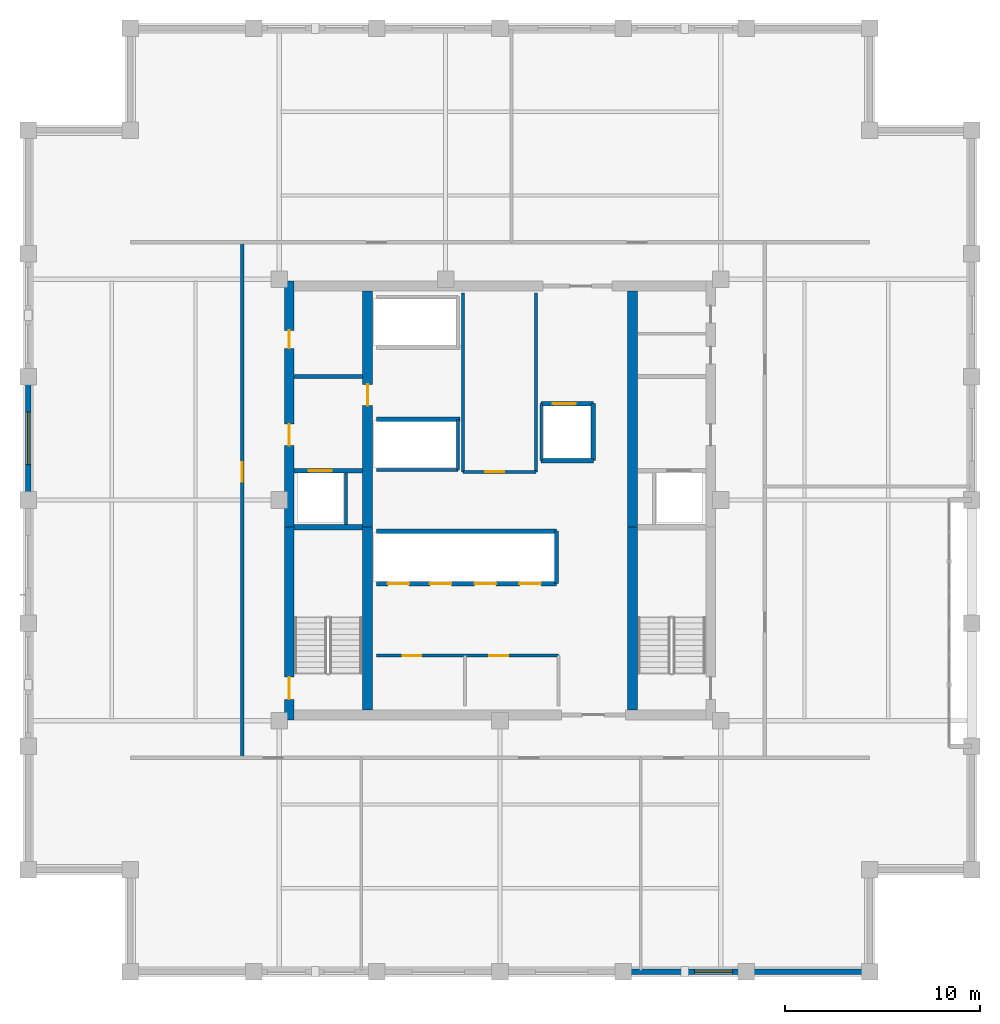
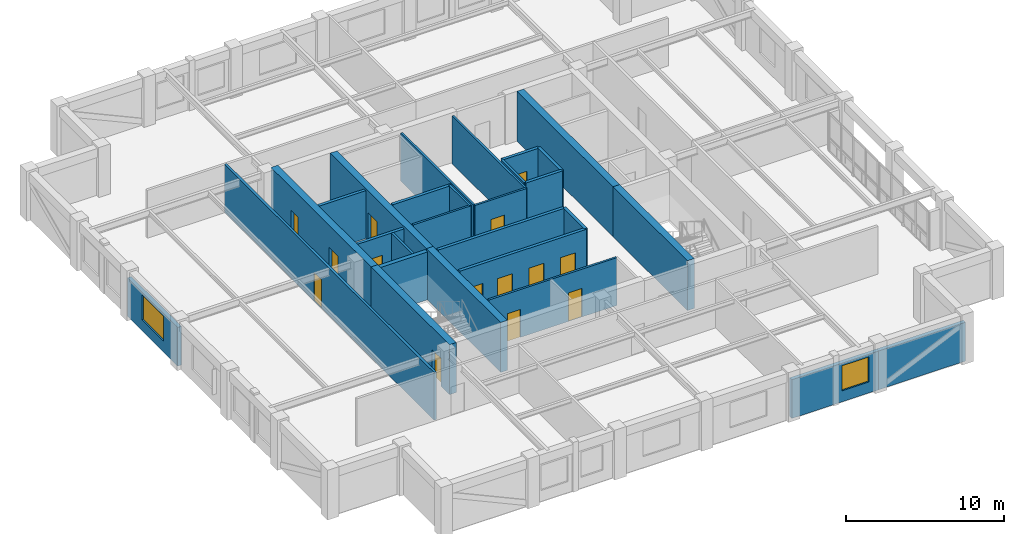
# One storey, part 6 of 10: 28 walls, 14 doors, 2 windows, 16 openings.
"""IFC4 building model written with IfcOpenShell, lengths in metres."""

from ifc_helpers import new_model, si_unit, direction, frame, frame_2d, origin, place, context, subcontext, project, spatial, rectangle, extrude, material, layer, layer_set, type_object, element, fill, save


model = new_model("IFC4")

# Units and contexts
model_context = context("Model", 3, precision=1e-05, world=origin(), true_north=direction((0.0, 1.0)))
body_context = subcontext(model_context, "Body", "Model", "MODEL_VIEW")
ifc_project = project(units=[si_unit("LENGTHUNIT", "METRE"), si_unit("AREAUNIT", "SQUARE_METRE"), si_unit("VOLUMEUNIT", "CUBIC_METRE"), si_unit("PLANEANGLEUNIT", "RADIAN"), si_unit("MASSUNIT", "GRAM", prefix="KILO")], contexts=[model_context])

# Site, building, storey
site_placement = place(None, origin())
site = spatial("IfcSite", under=ifc_project, at=site_placement, CompositionType="ELEMENT")
building_placement = place(site_placement, origin())
building = spatial("IfcBuilding", under=site, at=building_placement, Name="Nhamokura Convention Tower", CompositionType="ELEMENT")
storey_placement = place(building_placement, frame((0.0, 0.0, 236.949951171875)))
storey = spatial("IfcBuildingStorey", under=building, at=storey_placement, Name="L58", CompositionType="ELEMENT", Elevation=236.949951171875)

# Wall, opening, window
ifc_material_1 = material(Name="Bronze-pigmented precast concrete C45/55", Category="concrete")
ifc_layer_1 = layer(ifc_material_1, 0.280029296875)
ifc_layer_set_1 = layer_set([ifc_layer_1], Name="BronzePrecastSpandrel_280")
wall_type_1 = type_object("IfcWallType", Name="BronzePrecastSpandrel_280", PredefinedType="USERDEFINED", material=ifc_layer_set_1)
wall_1_placement = place(storey_placement, frame((44.666748046875, 7.75, 0.0), z_axis=(0.0, 0.0, 1.0), x_axis=(-1.0, 0.0, 0.0)))
wall_1 = element("IfcWall", 1, at=wall_1_placement, inside=storey, type_object=wall_type_1, Name="L58 Masonry-Frame Wall SOUTH 4", ObjectType="SPANDREL_WALL", PredefinedType="USERDEFINED", context=body_context, shape_type="SweptSolid", body=[
    extrude(rectangle(XDim=6.33349609375, YDim=0.280029296875, at=frame_2d((3.166748046875, 0.0))), origin(), (0.0, 0.0, 1.0), 2.985107421875),
])
opening_1_placement = place(wall_1_placement, frame((0.708251953125, 0.0, 0.85009765625)))
opening_1 = element("IfcOpeningElement", 2, at=opening_1_placement, cuts=wall_1, Name="Opening W-08", PredefinedType="OPENING", context=body_context, shape_type="SweptSolid", body=[
    extrude(rectangle(XDim=1.949951171875, YDim=1.93505859375, at=frame_2d((0.97509765625, 0.967529296875))), frame((0.0, 0.14990234375, 0.0), z_axis=(0.0, -1.0, 0.0), x_axis=(1.0, 0.0, 0.0)), (0.0, 0.0, 1.0), 0.300048828125),
])
ifc_material_2 = material(Name="Solar-control bronze low-E double glass", Category="glass")
window_type_1 = type_object("IfcWindowType", Name="OfficeModuleWindow_Z3_1950", PartitioningType="SINGLE_PANEL", PredefinedType="WINDOW", material=ifc_material_2)
window_1_placement = place(opening_1_placement, origin())
window_1 = element("IfcWindow", 3, at=window_1_placement, inside=storey, type_object=window_type_1, Name="L58 Facade Window SOUTH 4-1", OverallHeight=1.93505859375, OverallWidth=1.949951171875, PartitioningType="SINGLE_PANEL", PredefinedType="WINDOW", context=body_context, shape_type="SweptSolid", body=[
    extrude(rectangle(XDim=1.949951171875, YDim=1.93505859375, at=frame_2d((0.97509765625, 0.967529296875))), frame((0.0, 0.030029296875, 0.0), z_axis=(0.0, -1.0, 0.0), x_axis=(1.0, 0.0, 0.0)), (0.0, 0.0, 1.0), 0.06005859375),
])
fill(opening_1, window_1)

# Wall
wall_2_placement = place(storey_placement, frame((51.0, 7.75, 0.0), z_axis=(0.0, 0.0, 1.0), x_axis=(-1.0, 0.0, 0.0)))
element("IfcWall", 4, at=wall_2_placement, inside=storey, type_object=wall_type_1, Name="L58 Braced-Bay Precast Wall SOUTH 5", ObjectType="SPANDREL_WALL", PredefinedType="USERDEFINED", context=body_context, shape_type="SweptSolid", body=[
    extrude(rectangle(XDim=6.333251953125, YDim=0.280029296875, at=frame_2d((3.16650390625, 0.0))), origin(), (0.0, 0.0, 1.0), 2.985107421875),
])

# Wall, opening, window
wall_3_placement = place(storey_placement, frame((7.75, 32.0, 0.0), z_axis=(0.0, 0.0, 1.0), x_axis=(0.0, 1.0, 0.0)))
wall_3 = element("IfcWall", 5, at=wall_3_placement, inside=storey, type_object=wall_type_1, Name="L58 Masonry-Frame Wall WEST 3", ObjectType="SPANDREL_WALL", PredefinedType="USERDEFINED", context=body_context, shape_type="SweptSolid", body=[
    extrude(rectangle(XDim=6.333251953125, YDim=0.280029296875, at=frame_2d((3.16650390625, 0.0))), origin(), (0.0, 0.0, 1.0), 2.985107421875),
])
opening_2_placement = place(wall_3_placement, frame((1.816650390625, 0.0, 0.85009765625)))
opening_2 = element("IfcOpeningElement", 6, at=opening_2_placement, cuts=wall_3, Name="Opening W-07", PredefinedType="OPENING", context=body_context, shape_type="SweptSolid", body=[
    extrude(rectangle(XDim=2.699951171875, YDim=1.93505859375, at=frame_2d((1.35009765625, 0.967529296875))), frame((0.0, 0.14990234375, 0.0), z_axis=(0.0, -1.0, 0.0), x_axis=(1.0, 0.0, 0.0)), (0.0, 0.0, 1.0), 0.300048828125),
])
ifc_material_3 = material(Name="Solar-control bronze low-E double glass", Category="glass")
window_type_2 = type_object("IfcWindowType", Name="OfficeModuleWindow_Z3_2700", PartitioningType="DOUBLE_PANEL_VERTICAL", PredefinedType="WINDOW", material=ifc_material_3)
window_2_placement = place(opening_2_placement, origin())
window_2 = element("IfcWindow", 7, at=window_2_placement, inside=storey, type_object=window_type_2, Name="L58 Facade Window WEST 3", OverallHeight=1.93505859375, OverallWidth=2.699951171875, PartitioningType="SINGLE_PANEL", PredefinedType="WINDOW", context=body_context, shape_type="SweptSolid", body=[
    extrude(rectangle(XDim=2.699951171875, YDim=1.93505859375, at=frame_2d((1.35009765625, 0.967529296875))), frame((0.0, 0.030029296875, 0.0), z_axis=(0.0, -1.0, 0.0), x_axis=(1.0, 0.0, 0.0)), (0.0, 0.0, 1.0), 0.06005859375),
])
fill(opening_2, window_2)

# Wall, opening, door
ifc_material_4 = material(Name="Concrete C60/75", Category="concrete")
ifc_layer_2 = layer(ifc_material_4, 0.5)
ifc_layer_set_2 = layer_set([ifc_layer_2], Name="CoreShearWall_500")
wall_type_2 = type_object("IfcWallType", Name="CoreShearWall_500", PredefinedType="SHEAR", material=ifc_layer_set_2)
wall_4_placement = place(storey_placement, frame((21.159912109375, 20.699951171875, 0.0), z_axis=(0.0, 0.0, 1.0), x_axis=(0.0, 1.0, 0.0)))
wall_4 = element("IfcWall", 8, at=wall_4_placement, inside=storey, type_object=wall_type_2, Name="L58 Core Shear Wall CW-WS", PredefinedType="SHEAR", context=body_context, shape_type="SweptSolid", body=[
    extrude(rectangle(XDim=9.900146484375, YDim=0.5, at=frame_2d((4.9501953125, 0.0))), origin(), (0.0, 0.0, 1.0), 3.85009765625),
])
opening_3_placement = place(wall_4_placement, frame((1.050048828125, 0.0, 0.0)))
opening_3 = element("IfcOpeningElement", 9, at=opening_3_placement, cuts=wall_4, Name="Opening D-04", PredefinedType="OPENING", context=body_context, shape_type="SweptSolid", body=[
    extrude(rectangle(XDim=1.14990234375, YDim=2.14990234375, at=frame_2d((0.574951171875, 1.074951171875))), frame((0.0, 0.260009765625, 0.0), z_axis=(0.0, -1.0, 0.0), x_axis=(1.0, 0.0, 0.0)), (0.0, 0.0, 1.0), 0.52001953125),
])
ifc_material_5 = material(Name="Fire-rated steel door", Category="steel")
door_type_1 = type_object("IfcDoorType", Name="StairSmokeDoor_1150", OperationType="NOTDEFINED", PredefinedType="DOOR", material=ifc_material_5)
door_1_placement = place(opening_3_placement, origin())
door_1 = element("IfcDoor", 10, at=door_1_placement, inside=storey, type_object=door_type_1, Name="L58 Core Door INT-L58-D-ST01", OperationType="SINGLE_SWING_LEFT", OverallHeight=2.14990234375, OverallWidth=1.14990234375, PredefinedType="DOOR", context=body_context, shape_type="SweptSolid", body=[
    extrude(rectangle(XDim=1.14990234375, YDim=2.14990234375, at=frame_2d((0.574951171875, 1.074951171875))), frame((0.0, 0.02490234375, 0.0), z_axis=(0.0, -1.0, 0.0), x_axis=(1.0, 0.0, 0.0)), (0.0, 0.0, 1.0), 0.050048828125),
])
fill(opening_3, door_1)

# Wall, openings, doors
wall_5_placement = place(storey_placement, frame((21.159912109375, 30.60009765625, 0.0), z_axis=(0.0, 0.0, 1.0), x_axis=(0.0, 1.0, 0.0)))
wall_5 = element("IfcWall", 11, at=wall_5_placement, inside=storey, type_object=wall_type_2, Name="L58 Core Shear Wall CW-WN", PredefinedType="SHEAR", context=body_context, shape_type="SweptSolid", body=[
    extrude(rectangle(XDim=12.64990234375, YDim=0.5, at=frame_2d((6.324951171875, 0.0))), origin(), (0.0, 0.0, 1.0), 3.85009765625),
])
opening_4_placement = place(wall_5_placement, frame((4.199951171875, 0.0, 0.0)))
opening_4 = element("IfcOpeningElement", 12, at=opening_4_placement, cuts=wall_5, Name="Opening D-05", PredefinedType="OPENING", context=body_context, shape_type="SweptSolid", body=[
    extrude(rectangle(XDim=1.10009765625, YDim=2.14990234375, at=frame_2d((0.550048828125, 1.074951171875))), frame((0.0, 0.260009765625, 0.0), z_axis=(0.0, -1.0, 0.0), x_axis=(1.0, 0.0, 0.0)), (0.0, 0.0, 1.0), 0.52001953125),
])
opening_5_placement = place(wall_5_placement, frame((9.199951171875, 0.0, 0.0)))
opening_5 = element("IfcOpeningElement", 13, at=opening_5_placement, cuts=wall_5, Name="Opening D-10", PredefinedType="OPENING", context=body_context, shape_type="SweptSolid", body=[
    extrude(rectangle(XDim=0.919921875, YDim=2.10009765625, at=frame_2d((0.4599609375, 1.050048828125))), frame((0.0, 0.260009765625, 0.0), z_axis=(0.0, -1.0, 0.0), x_axis=(1.0, 0.0, 0.0)), (0.0, 0.0, 1.0), 0.52001953125),
])
ifc_material_6 = material(Name="Solid oak hardwood", Category="wood")
door_type_2 = type_object("IfcDoorType", Name="AccessibleWCDoor_920", OperationType="NOTDEFINED", PredefinedType="DOOR", material=ifc_material_6)
door_2_placement = place(opening_5_placement, origin())
door_2 = element("IfcDoor", 14, at=door_2_placement, inside=storey, type_object=door_type_2, Name="L58 Core Door INT-L58-D-AWC", OperationType="SINGLE_SWING_LEFT", OverallHeight=2.10009765625, OverallWidth=0.919921875, PredefinedType="DOOR", context=body_context, shape_type="SweptSolid", body=[
    extrude(rectangle(XDim=0.919921875, YDim=2.10009765625, at=frame_2d((0.4599609375, 1.050048828125))), frame((0.0, 0.02490234375, 0.0), z_axis=(0.0, -1.0, 0.0), x_axis=(1.0, 0.0, 0.0)), (0.0, 0.0, 1.0), 0.050048828125),
])
fill(opening_5, door_2)
ifc_material_7 = material(Name="Fire-rated steel door", Category="steel")
door_type_3 = type_object("IfcDoorType", Name="FireLobbyDoor_1100", OperationType="NOTDEFINED", PredefinedType="DOOR", material=ifc_material_7)
door_3_placement = place(opening_4_placement, origin())
door_3 = element("IfcDoor", 15, at=door_3_placement, inside=storey, type_object=door_type_3, Name="L58 Core Door INT-L58-D-FFLW", OperationType="SINGLE_SWING_RIGHT", OverallHeight=2.14990234375, OverallWidth=1.10009765625, PredefinedType="DOOR", context=body_context, shape_type="SweptSolid", body=[
    extrude(rectangle(XDim=1.10009765625, YDim=2.14990234375, at=frame_2d((0.550048828125, 1.074951171875))), frame((0.0, 0.02490234375, 0.0), z_axis=(0.0, -1.0, 0.0), x_axis=(1.0, 0.0, 0.0)), (0.0, 0.0, 1.0), 0.050048828125),
])
fill(opening_4, door_3)

# Wall
wall_6_placement = place(storey_placement, frame((25.18994140625, 21.199951171875, 0.0), z_axis=(0.0, 0.0, 1.0), x_axis=(0.0, 1.0, 0.0)))
element("IfcWall", 16, at=wall_6_placement, inside=storey, type_object=wall_type_2, Name="L58 Core Shear Wall CW-IWS", PredefinedType="SHEAR", context=body_context, shape_type="SweptSolid", body=[
    extrude(rectangle(XDim=9.400146484375, YDim=0.5, at=frame_2d((4.7001953125, 0.0))), origin(), (0.0, 0.0, 1.0), 3.85009765625),
])

# Wall, opening, door
wall_7_placement = place(storey_placement, frame((25.18994140625, 30.60009765625, 0.0), z_axis=(0.0, 0.0, 1.0), x_axis=(0.0, 1.0, 0.0)))
wall_7 = element("IfcWall", 17, at=wall_7_placement, inside=storey, type_object=wall_type_2, Name="L58 Core Shear Wall CW-IWN", PredefinedType="SHEAR", context=body_context, shape_type="SweptSolid", body=[
    extrude(rectangle(XDim=12.14990234375, YDim=0.5, at=frame_2d((6.074951171875, 0.0))), origin(), (0.0, 0.0, 1.0), 3.85009765625),
])
opening_6_placement = place(wall_7_placement, frame((6.25, 0.0, 0.0)))
opening_6 = element("IfcOpeningElement", 18, at=opening_6_placement, cuts=wall_7, Name="Opening D-05", PredefinedType="OPENING", context=body_context, shape_type="SweptSolid", body=[
    extrude(rectangle(XDim=1.10009765625, YDim=2.14990234375, at=frame_2d((0.550048828125, 1.074951171875))), frame((0.0, 0.260009765625, 0.0), z_axis=(0.0, -1.0, 0.0), x_axis=(1.0, 0.0, 0.0)), (0.0, 0.0, 1.0), 0.52001953125),
])
door_4_placement = place(opening_6_placement, origin())
door_4 = element("IfcDoor", 19, at=door_4_placement, inside=storey, type_object=door_type_3, Name="L58 Core Door INT-L58-D-B3LOB", OperationType="SINGLE_SWING_LEFT", OverallHeight=2.14990234375, OverallWidth=1.10009765625, PredefinedType="DOOR", context=body_context, shape_type="SweptSolid", body=[
    extrude(rectangle(XDim=1.10009765625, YDim=2.14990234375, at=frame_2d((0.550048828125, 1.074951171875))), frame((0.0, 0.02490234375, 0.0), z_axis=(0.0, -1.0, 0.0), x_axis=(1.0, 0.0, 0.0)), (0.0, 0.0, 1.0), 0.050048828125),
])
fill(opening_6, door_4)

# Walls
wall_8_placement = place(storey_placement, frame((38.81005859375, 21.199951171875, 0.0), z_axis=(0.0, 0.0, 1.0), x_axis=(0.0, 1.0, 0.0)))
element("IfcWall", 20, at=wall_8_placement, inside=storey, type_object=wall_type_2, Name="L58 Core Shear Wall CW-IES", PredefinedType="SHEAR", context=body_context, shape_type="SweptSolid", body=[
    extrude(rectangle(XDim=9.400146484375, YDim=0.5, at=frame_2d((4.7001953125, 0.0))), origin(), (0.0, 0.0, 1.0), 3.85009765625),
])
wall_9_placement = place(storey_placement, frame((38.81005859375, 30.60009765625, 0.0), z_axis=(0.0, 0.0, 1.0), x_axis=(0.0, 1.0, 0.0)))
element("IfcWall", 21, at=wall_9_placement, inside=storey, type_object=wall_type_2, Name="L58 Core Shear Wall CW-IEN", PredefinedType="SHEAR", context=body_context, shape_type="SweptSolid", body=[
    extrude(rectangle(XDim=12.14990234375, YDim=0.5, at=frame_2d((6.074951171875, 0.0))), origin(), (0.0, 0.0, 1.0), 3.85009765625),
])

# Wall, opening, door
ifc_material_8 = material(Name="Fire-rated gypsum and masonry partition", Category="masonry")
ifc_layer_3 = layer(ifc_material_8, 0.179931640625)
ifc_layer_set_3 = layer_set([ifc_layer_3], Name="CorridorRatedWall_180")
wall_type_3 = type_object("IfcWallType", Name="CorridorRatedWall_180", PredefinedType="STANDARD", material=ifc_layer_set_3)
wall_10_placement = place(storey_placement, frame((18.75, 18.75, 0.0), z_axis=(0.0, 0.0, 1.0), x_axis=(0.0, 1.0, 0.0)))
wall_10 = element("IfcWall", 22, at=wall_10_placement, inside=storey, type_object=wall_type_3, Name="L58 Wall INT-L58-CW-W00", PredefinedType="STANDARD", context=body_context, shape_type="SweptSolid", body=[
    extrude(rectangle(XDim=26.5, YDim=0.179931640625, at=frame_2d((13.25, 0.0))), origin(), (0.0, 0.0, 1.0), 3.68505859375),
])
opening_7_placement = place(wall_10_placement, frame((14.199951171875, 0.0, 0.0)))
opening_7 = element("IfcOpeningElement", 23, at=opening_7_placement, cuts=wall_10, Name="Opening D-08", PredefinedType="OPENING", context=body_context, shape_type="SweptSolid", body=[
    extrude(rectangle(XDim=0.97998046875, YDim=2.199951171875, at=frame_2d((0.489990234375, 1.10009765625))), frame((0.0, 0.099853515625, 0.0), z_axis=(0.0, -1.0, 0.0), x_axis=(1.0, 0.0, 0.0)), (0.0, 0.0, 1.0), 0.199951171875),
])
ifc_material_9 = material(Name="Solid oak hardwood", Category="wood")
door_type_4 = type_object("IfcDoorType", Name="OfficeEntryDoor_980", OperationType="NOTDEFINED", PredefinedType="DOOR", material=ifc_material_9)
door_5_placement = place(opening_7_placement, origin())
door_5 = element("IfcDoor", 24, at=door_5_placement, inside=storey, type_object=door_type_4, Name="L58 Meeting Room W01 Door", OperationType="SINGLE_SWING_LEFT", OverallHeight=2.199951171875, OverallWidth=0.97998046875, PredefinedType="DOOR", context=body_context, shape_type="SweptSolid", body=[
    extrude(rectangle(XDim=0.97998046875, YDim=2.199951171875, at=frame_2d((0.489990234375, 1.10009765625))), frame((0.0, 0.02490234375, 0.0), z_axis=(0.0, -1.0, 0.0), x_axis=(1.0, 0.0, 0.0)), (0.0, 0.0, 1.0), 0.050048828125),
])
fill(opening_7, door_5)

ifc_material_10 = material(Name="Autoclaved concrete blockwork", Category="masonry")
ifc_layer_4 = layer(ifc_material_10, 0.219970703125)
ifc_layer_set_4 = layer_set([ifc_layer_4], Name="FireLobbyWall_220")
wall_type_4 = type_object("IfcWallType", Name="FireLobbyWall_220", PredefinedType="STANDARD", material=ifc_layer_set_4)
wall_11_placement = place(storey_placement, frame((21.409912109375, 33.5, 0.0), z_axis=(0.0, 0.0, 1.0), x_axis=(1.0, 0.0, 0.0)))
wall_11 = element("IfcWall", 25, at=wall_11_placement, inside=storey, type_object=wall_type_4, Name="L58 Wall INT-L58-FFW-S", PredefinedType="STANDARD", context=body_context, shape_type="SweptSolid", body=[
    extrude(rectangle(XDim=3.530029296875, YDim=0.219970703125, at=frame_2d((1.76513671875, 0.0))), origin(), (0.0, 0.0, 1.0), 3.68505859375),
])
opening_8_placement = place(wall_11_placement, frame((0.75, 0.0, 0.0)))
opening_8 = element("IfcOpeningElement", 26, at=opening_8_placement, cuts=wall_11, Name="Opening LD-02", PredefinedType="OPENING", context=body_context, shape_type="SweptSolid", body=[
    extrude(rectangle(XDim=1.199951171875, YDim=2.199951171875, at=frame_2d((0.60009765625, 1.10009765625))), frame((0.0, 0.119873046875, 0.0), z_axis=(0.0, -1.0, 0.0), x_axis=(1.0, 0.0, 0.0)), (0.0, 0.0, 1.0), 0.239990234375),
])
ifc_material_11 = material(Name="Anodised bronze stainless steel", Category="steel")
door_type_5 = type_object("IfcDoorType", Name="LiftLandingDoor_FireService", OperationType="DOUBLE_DOOR_SLIDING", PredefinedType="DOOR", material=ifc_material_11)
door_6_placement = place(opening_8_placement, origin())
door_6 = element("IfcDoor", 27, at=door_6_placement, inside=storey, type_object=door_type_5, Name="L58 Firefighting Lift LF-01 Door", OperationType="DOUBLE_DOOR_SLIDING", OverallHeight=2.199951171875, OverallWidth=1.199951171875, PredefinedType="DOOR", context=body_context, shape_type="SweptSolid", body=[
    extrude(rectangle(XDim=1.199951171875, YDim=2.199951171875, at=frame_2d((0.60009765625, 1.10009765625))), frame((0.0, 0.02490234375, 0.0), z_axis=(0.0, -1.0, 0.0), x_axis=(1.0, 0.0, 0.0)), (0.0, 0.0, 1.0), 0.050048828125),
])
fill(opening_8, door_6)

# Wall
wall_12_placement = place(storey_placement, frame((21.409912109375, 38.35009765625, 0.0), z_axis=(0.0, 0.0, 1.0), x_axis=(1.0, 0.0, 0.0)))
element("IfcWall", 28, at=wall_12_placement, inside=storey, type_object=wall_type_4, Name="L58 Wall INT-L58-FFW-N", PredefinedType="STANDARD", context=body_context, shape_type="SweptSolid", body=[
    extrude(rectangle(XDim=3.530029296875, YDim=0.219970703125, at=frame_2d((1.76513671875, 0.0))), origin(), (0.0, 0.0, 1.0), 3.68505859375),
])

# Wall, openings, doors
wall_13_placement = place(storey_placement, frame((25.64990234375, 27.699951171875, 0.0), z_axis=(0.0, 0.0, 1.0), x_axis=(1.0, 0.0, 0.0)))
wall_13 = element("IfcWall", 29, at=wall_13_placement, inside=storey, type_object=wall_type_4, Name="L58 Wall INT-L58-B2S", PredefinedType="STANDARD", context=body_context, shape_type="SweptSolid", body=[
    extrude(rectangle(XDim=9.25, YDim=0.219970703125, at=frame_2d((4.625, 0.0))), origin(), (0.0, 0.0, 1.0), 3.68505859375),
])
opening_9_placement = place(wall_13_placement, frame((0.580078125, 0.0, 0.0)))
opening_9 = element("IfcOpeningElement", 30, at=opening_9_placement, cuts=wall_13, Name="Opening LD-01", PredefinedType="OPENING", context=body_context, shape_type="SweptSolid", body=[
    extrude(rectangle(XDim=1.10009765625, YDim=2.14990234375, at=frame_2d((0.550048828125, 1.074951171875))), frame((0.0, 0.119873046875, 0.0), z_axis=(0.0, -1.0, 0.0), x_axis=(1.0, 0.0, 0.0)), (0.0, 0.0, 1.0), 0.239990234375),
])
opening_10_placement = place(wall_13_placement, frame((2.75, 0.0, 0.0)))
opening_10 = element("IfcOpeningElement", 31, at=opening_10_placement, cuts=wall_13, Name="Opening LD-01", PredefinedType="OPENING", context=body_context, shape_type="SweptSolid", body=[
    extrude(rectangle(XDim=1.10009765625, YDim=2.14990234375, at=frame_2d((0.550048828125, 1.074951171875))), frame((0.0, 0.119873046875, 0.0), z_axis=(0.0, -1.0, 0.0), x_axis=(1.0, 0.0, 0.0)), (0.0, 0.0, 1.0), 0.239990234375),
])
opening_11_placement = place(wall_13_placement, frame((5.050048828125, 0.0, 0.0)))
opening_11 = element("IfcOpeningElement", 32, at=opening_11_placement, cuts=wall_13, Name="Opening LD-01", PredefinedType="OPENING", context=body_context, shape_type="SweptSolid", body=[
    extrude(rectangle(XDim=1.10009765625, YDim=2.14990234375, at=frame_2d((0.550048828125, 1.074951171875))), frame((0.0, 0.119873046875, 0.0), z_axis=(0.0, -1.0, 0.0), x_axis=(1.0, 0.0, 0.0)), (0.0, 0.0, 1.0), 0.239990234375),
])
opening_12_placement = place(wall_13_placement, frame((7.35009765625, 0.0, 0.0)))
opening_12 = element("IfcOpeningElement", 33, at=opening_12_placement, cuts=wall_13, Name="Opening LD-01", PredefinedType="OPENING", context=body_context, shape_type="SweptSolid", body=[
    extrude(rectangle(XDim=1.10009765625, YDim=2.14990234375, at=frame_2d((0.550048828125, 1.074951171875))), frame((0.0, 0.119873046875, 0.0), z_axis=(0.0, -1.0, 0.0), x_axis=(1.0, 0.0, 0.0)), (0.0, 0.0, 1.0), 0.239990234375),
])
ifc_material_12 = material(Name="Anodised bronze stainless steel", Category="steel")
door_type_6 = type_object("IfcDoorType", Name="LiftLandingDoor_Passenger", OperationType="DOUBLE_DOOR_SLIDING", PredefinedType="DOOR", material=ifc_material_12)
door_7_placement = place(opening_9_placement, origin())
door_7 = element("IfcDoor", 34, at=door_7_placement, inside=storey, type_object=door_type_6, Name="L58 Lift LP-05 Landing Door", OperationType="DOUBLE_DOOR_SLIDING", OverallHeight=2.14990234375, OverallWidth=1.10009765625, PredefinedType="DOOR", context=body_context, shape_type="SweptSolid", body=[
    extrude(rectangle(XDim=1.10009765625, YDim=2.14990234375, at=frame_2d((0.550048828125, 1.074951171875))), frame((0.0, 0.02490234375, 0.0), z_axis=(0.0, -1.0, 0.0), x_axis=(1.0, 0.0, 0.0)), (0.0, 0.0, 1.0), 0.050048828125),
])
fill(opening_9, door_7)
door_8_placement = place(opening_10_placement, origin())
door_8 = element("IfcDoor", 35, at=door_8_placement, inside=storey, type_object=door_type_6, Name="L58 Lift LP-06 Landing Door", OperationType="DOUBLE_DOOR_SLIDING", OverallHeight=2.14990234375, OverallWidth=1.10009765625, PredefinedType="DOOR", context=body_context, shape_type="SweptSolid", body=[
    extrude(rectangle(XDim=1.10009765625, YDim=2.14990234375, at=frame_2d((0.550048828125, 1.074951171875))), frame((0.0, 0.02490234375, 0.0), z_axis=(0.0, -1.0, 0.0), x_axis=(1.0, 0.0, 0.0)), (0.0, 0.0, 1.0), 0.050048828125),
])
fill(opening_10, door_8)
door_9_placement = place(opening_11_placement, origin())
door_9 = element("IfcDoor", 36, at=door_9_placement, inside=storey, type_object=door_type_6, Name="L58 Lift LP-07 Landing Door", OperationType="DOUBLE_DOOR_SLIDING", OverallHeight=2.14990234375, OverallWidth=1.10009765625, PredefinedType="DOOR", context=body_context, shape_type="SweptSolid", body=[
    extrude(rectangle(XDim=1.10009765625, YDim=2.14990234375, at=frame_2d((0.550048828125, 1.074951171875))), frame((0.0, 0.02490234375, 0.0), z_axis=(0.0, -1.0, 0.0), x_axis=(1.0, 0.0, 0.0)), (0.0, 0.0, 1.0), 0.050048828125),
])
fill(opening_11, door_9)
door_10_placement = place(opening_12_placement, origin())
door_10 = element("IfcDoor", 37, at=door_10_placement, inside=storey, type_object=door_type_6, Name="L58 Lift LP-08 Landing Door", OperationType="DOUBLE_DOOR_SLIDING", OverallHeight=2.14990234375, OverallWidth=1.10009765625, PredefinedType="DOOR", context=body_context, shape_type="SweptSolid", body=[
    extrude(rectangle(XDim=1.10009765625, YDim=2.14990234375, at=frame_2d((0.550048828125, 1.074951171875))), frame((0.0, 0.02490234375, 0.0), z_axis=(0.0, -1.0, 0.0), x_axis=(1.0, 0.0, 0.0)), (0.0, 0.0, 1.0), 0.050048828125),
])
fill(opening_12, door_10)

# Walls
wall_14_placement = place(storey_placement, frame((25.64990234375, 30.39990234375, 0.0), z_axis=(0.0, 0.0, 1.0), x_axis=(1.0, 0.0, 0.0)))
element("IfcWall", 38, at=wall_14_placement, inside=storey, type_object=wall_type_4, Name="L58 Wall INT-L58-B2N", PredefinedType="STANDARD", context=body_context, shape_type="SweptSolid", body=[
    extrude(rectangle(XDim=9.25, YDim=0.219970703125, at=frame_2d((4.625, 0.0))), origin(), (0.0, 0.0, 1.0), 3.68505859375),
])
wall_15_placement = place(storey_placement, frame((34.89990234375, 27.699951171875, 0.0), z_axis=(0.0, 0.0, 1.0), x_axis=(0.0, 1.0, 0.0)))
element("IfcWall", 39, at=wall_15_placement, inside=storey, type_object=wall_type_4, Name="L58 Wall INT-L58-B2E", PredefinedType="STANDARD", context=body_context, shape_type="SweptSolid", body=[
    extrude(rectangle(XDim=2.699951171875, YDim=0.219970703125, at=frame_2d((1.35009765625, 0.0))), origin(), (0.0, 0.0, 1.0), 3.68505859375),
])
wall_16_placement = place(storey_placement, frame((25.64990234375, 36.14990234375, 0.0), z_axis=(0.0, 0.0, 1.0), x_axis=(1.0, 0.0, 0.0)))
element("IfcWall", 40, at=wall_16_placement, inside=storey, type_object=wall_type_4, Name="L58 Wall INT-L58-B3S", PredefinedType="STANDARD", context=body_context, shape_type="SweptSolid", body=[
    extrude(rectangle(XDim=4.300048828125, YDim=0.219970703125, at=frame_2d((2.14990234375, 0.0))), origin(), (0.0, 0.0, 1.0), 3.68505859375),
])

# Wall, opening, door
wall_17_placement = place(storey_placement, frame((34.1201171875, 36.949951171875, 0.0), z_axis=(0.0, 0.0, 1.0), x_axis=(1.0, 0.0, 0.0)))
wall_17 = element("IfcWall", 41, at=wall_17_placement, inside=storey, type_object=wall_type_4, Name="L58 Wall INT-L58-LSN", PredefinedType="STANDARD", context=body_context, shape_type="SweptSolid", body=[
    extrude(rectangle(XDim=2.679931640625, YDim=0.219970703125, at=frame_2d((1.33984375, 0.0))), origin(), (0.0, 0.0, 1.0), 3.68505859375),
])
opening_13_placement = place(wall_17_placement, frame((0.580078125, 0.0, 0.0)))
opening_13 = element("IfcOpeningElement", 42, at=opening_13_placement, cuts=wall_17, Name="Opening LD-02", PredefinedType="OPENING", context=body_context, shape_type="SweptSolid", body=[
    extrude(rectangle(XDim=1.199951171875, YDim=2.199951171875, at=frame_2d((0.60009765625, 1.10009765625))), frame((0.0, 0.119873046875, 0.0), z_axis=(0.0, -1.0, 0.0), x_axis=(1.0, 0.0, 0.0)), (0.0, 0.0, 1.0), 0.239990234375),
])
door_11_placement = place(opening_13_placement, origin())
door_11 = element("IfcDoor", 43, at=door_11_placement, inside=storey, type_object=door_type_5, Name="L58 Service Lift LS-01 Door", OperationType="DOUBLE_DOOR_SLIDING", OverallHeight=2.199951171875, OverallWidth=1.199951171875, PredefinedType="DOOR", context=body_context, shape_type="SweptSolid", body=[
    extrude(rectangle(XDim=1.199951171875, YDim=2.199951171875, at=frame_2d((0.60009765625, 1.10009765625))), frame((0.0, 0.02490234375, 0.0), z_axis=(0.0, -1.0, 0.0), x_axis=(1.0, 0.0, 0.0)), (0.0, 0.0, 1.0), 0.050048828125),
])
fill(opening_13, door_11)

# Walls
wall_18_placement = place(storey_placement, frame((36.800048828125, 34.02001953125, 0.0), z_axis=(0.0, 0.0, 1.0), x_axis=(0.0, 1.0, 0.0)))
element("IfcWall", 44, at=wall_18_placement, inside=storey, type_object=wall_type_4, Name="L58 Wall INT-L58-LSE", PredefinedType="STANDARD", context=body_context, shape_type="SweptSolid", body=[
    extrude(rectangle(XDim=2.929931640625, YDim=0.219970703125, at=frame_2d((1.46484375, 0.0))), origin(), (0.0, 0.0, 1.0), 3.68505859375),
])
wall_19_placement = place(storey_placement, frame((34.1201171875, 34.02001953125, 0.0), z_axis=(0.0, 0.0, 1.0), x_axis=(1.0, 0.0, 0.0)))
element("IfcWall", 45, at=wall_19_placement, inside=storey, type_object=wall_type_4, Name="L58 Wall INT-L58-LSS", PredefinedType="STANDARD", context=body_context, shape_type="SweptSolid", body=[
    extrude(rectangle(XDim=2.679931640625, YDim=0.219970703125, at=frame_2d((1.33984375, 0.0))), origin(), (0.0, 0.0, 1.0), 3.68505859375),
])
ifc_material_13 = material(Name="Acoustic gypsum stud partition", Category="masonry")
ifc_layer_5 = layer(ifc_material_13, 0.14990234375)
ifc_layer_set_5 = layer_set([ifc_layer_5], Name="InteriorPartition_150")
wall_type_5 = type_object("IfcWallType", Name="InteriorPartition_150", PredefinedType="STANDARD", material=ifc_layer_set_5)
wall_20_placement = place(storey_placement, frame((24.080078125, 30.75, 0.0), z_axis=(0.0, 0.0, 1.0), x_axis=(0.0, 1.0, 0.0)))
element("IfcWall", 46, at=wall_20_placement, inside=storey, type_object=wall_type_5, Name="L58 Wall INT-L58-FF1-E", PredefinedType="STANDARD", context=body_context, shape_type="SweptSolid", body=[
    extrude(rectangle(XDim=2.64990234375, YDim=0.14990234375, at=frame_2d((1.324951171875, 0.0))), origin(), (0.0, 0.0, 1.0), 3.68505859375),
])

# Wall, openings, doors
wall_21_placement = place(storey_placement, frame((25.64990234375, 24.0, 0.0), z_axis=(0.0, 0.0, 1.0), x_axis=(1.0, 0.0, 0.0)))
wall_21 = element("IfcWall", 47, at=wall_21_placement, inside=storey, type_object=wall_type_5, Name="L58 Wall INT-L58-B1R-N", PredefinedType="STANDARD", context=body_context, shape_type="SweptSolid", body=[
    extrude(rectangle(XDim=9.35009765625, YDim=0.14990234375, at=frame_2d((4.675048828125, 0.0))), origin(), (0.0, 0.0, 1.0), 3.68505859375),
])
opening_14_placement = place(wall_21_placement, frame((1.35009765625, 0.0, 0.0)))
opening_14 = element("IfcOpeningElement", 48, at=opening_14_placement, cuts=wall_21, Name="Opening D-09", PredefinedType="OPENING", context=body_context, shape_type="SweptSolid", body=[
    extrude(rectangle(XDim=0.949951171875, YDim=2.14990234375, at=frame_2d((0.47509765625, 1.074951171875))), frame((0.0, 0.0849609375, 0.0), z_axis=(0.0, -1.0, 0.0), x_axis=(1.0, 0.0, 0.0)), (0.0, 0.0, 1.0), 0.169921875),
])
opening_15_placement = place(wall_21_placement, frame((5.800048828125, 0.0, 0.0)))
opening_15 = element("IfcOpeningElement", 49, at=opening_15_placement, cuts=wall_21, Name="Opening D-08", PredefinedType="OPENING", context=body_context, shape_type="SweptSolid", body=[
    extrude(rectangle(XDim=0.97998046875, YDim=2.199951171875, at=frame_2d((0.489990234375, 1.10009765625))), frame((0.0, 0.0849609375, 0.0), z_axis=(0.0, -1.0, 0.0), x_axis=(1.0, 0.0, 0.0)), (0.0, 0.0, 1.0), 0.169921875),
])
ifc_material_14 = material(Name="Solid oak hardwood", Category="wood")
door_type_7 = type_object("IfcDoorType", Name="MeetingRoomDoor_950", OperationType="NOTDEFINED", PredefinedType="DOOR", material=ifc_material_14)
door_12_placement = place(opening_14_placement, origin())
door_12 = element("IfcDoor", 50, at=door_12_placement, inside=storey, type_object=door_type_7, Name="L58 Reclaimed Briefing Room Door", OperationType="SINGLE_SWING_LEFT", OverallHeight=2.14990234375, OverallWidth=0.949951171875, PredefinedType="DOOR", context=body_context, shape_type="SweptSolid", body=[
    extrude(rectangle(XDim=0.949951171875, YDim=2.14990234375, at=frame_2d((0.47509765625, 1.074951171875))), frame((0.0, 0.02490234375, 0.0), z_axis=(0.0, -1.0, 0.0), x_axis=(1.0, 0.0, 0.0)), (0.0, 0.0, 1.0), 0.050048828125),
])
fill(opening_14, door_12)
door_13_placement = place(opening_15_placement, origin())
door_13 = element("IfcDoor", 51, at=door_13_placement, inside=storey, type_object=door_type_4, Name="L58 Reclaimed Hub Door", OperationType="SINGLE_SWING_RIGHT", OverallHeight=2.199951171875, OverallWidth=0.97998046875, PredefinedType="DOOR", context=body_context, shape_type="SweptSolid", body=[
    extrude(rectangle(XDim=0.97998046875, YDim=2.199951171875, at=frame_2d((0.489990234375, 1.10009765625))), frame((0.0, 0.02490234375, 0.0), z_axis=(0.0, -1.0, 0.0), x_axis=(1.0, 0.0, 0.0)), (0.0, 0.0, 1.0), 0.050048828125),
])
fill(opening_15, door_13)

# Walls
wall_22_placement = place(storey_placement, frame((25.64990234375, 33.550048828125, 0.0), z_axis=(0.0, 0.0, 1.0), x_axis=(1.0, 0.0, 0.0)))
element("IfcWall", 52, at=wall_22_placement, inside=storey, type_object=wall_type_5, Name="L58 Wall INT-L58-B3A-S", PredefinedType="STANDARD", context=body_context, shape_type="SweptSolid", body=[
    extrude(rectangle(XDim=4.2001953125, YDim=0.14990234375, at=frame_2d((2.10009765625, 0.0))), origin(), (0.0, 0.0, 1.0), 3.68505859375),
])
wall_23_placement = place(storey_placement, frame((29.85009765625, 33.550048828125, 0.0), z_axis=(0.0, 0.0, 1.0), x_axis=(0.0, 1.0, 0.0)))
element("IfcWall", 53, at=wall_23_placement, inside=storey, type_object=wall_type_5, Name="L58 Wall INT-L58-B3A-E", PredefinedType="STANDARD", context=body_context, shape_type="SweptSolid", body=[
    extrude(rectangle(XDim=2.599853515625, YDim=0.14990234375, at=frame_2d((1.2998046875, 0.0))), origin(), (0.0, 0.0, 1.0), 3.68505859375),
])
for number, where, z_axis, x_axis, name in (
    (54, (30.10009765625, 33.449951171875, 0.0), (0.0, 0.0, 1.0), (0.0, 1.0, 0.0), "L58 Wall INT-L58-ST03W"),
    (55, (33.85009765625, 33.449951171875, 0.0), (0.0, 0.0, 1.0), (0.0, 1.0, 0.0), "L58 Wall INT-L58-ST03E"),
):
    element("IfcWall", number, at=place(storey_placement, frame(where, z_axis=z_axis, x_axis=x_axis)), inside=storey, type_object=wall_type_5, Name=name, PredefinedType="STANDARD", context=body_context, shape_type="SweptSolid", body=[
        extrude(rectangle(XDim=9.199951171875, YDim=0.14990234375, at=frame_2d((4.60009765625, 0.0))), origin(), (0.0, 0.0, 1.0), 3.68505859375),
    ])

# Wall, opening, door
wall_24_placement = place(storey_placement, frame((30.10009765625, 33.449951171875, 0.0), z_axis=(0.0, 0.0, 1.0), x_axis=(1.0, 0.0, 0.0)))
wall_24 = element("IfcWall", 56, at=wall_24_placement, inside=storey, type_object=wall_type_5, Name="L58 Wall INT-L58-ST03S", PredefinedType="STANDARD", context=body_context, shape_type="SweptSolid", body=[
    extrude(rectangle(XDim=3.75, YDim=0.14990234375, at=frame_2d((1.875, 0.0))), origin(), (0.0, 0.0, 1.0), 3.68505859375),
])
opening_16_placement = place(wall_24_placement, frame((1.14990234375, 0.0, 0.0)))
opening_16 = element("IfcOpeningElement", 57, at=opening_16_placement, cuts=wall_24, Name="Opening D-08", PredefinedType="OPENING", context=body_context, shape_type="SweptSolid", body=[
    extrude(rectangle(XDim=0.97998046875, YDim=2.199951171875, at=frame_2d((0.489990234375, 1.10009765625))), frame((0.0, 0.0849609375, 0.0), z_axis=(0.0, -1.0, 0.0), x_axis=(1.0, 0.0, 0.0)), (0.0, 0.0, 1.0), 0.169921875),
])
door_14_placement = place(opening_16_placement, origin())
door_14 = element("IfcDoor", 58, at=door_14_placement, inside=storey, type_object=door_type_4, Name="L58 Wellness and Records Room Door", OperationType="SINGLE_SWING_LEFT", OverallHeight=2.199951171875, OverallWidth=0.97998046875, PredefinedType="DOOR", context=body_context, shape_type="SweptSolid", body=[
    extrude(rectangle(XDim=0.97998046875, YDim=2.199951171875, at=frame_2d((0.489990234375, 1.10009765625))), frame((0.0, 0.02490234375, 0.0), z_axis=(0.0, -1.0, 0.0), x_axis=(1.0, 0.0, 0.0)), (0.0, 0.0, 1.0), 0.050048828125),
])
fill(opening_16, door_14)

# Walls
wall_25_placement = place(storey_placement, frame((34.1201171875, 34.02001953125, 0.0), z_axis=(0.0, 0.0, 1.0), x_axis=(0.0, 1.0, 0.0)))
element("IfcWall", 59, at=wall_25_placement, inside=storey, type_object=wall_type_5, Name="L58 Wall INT-L58-LSW", PredefinedType="STANDARD", context=body_context, shape_type="SweptSolid", body=[
    extrude(rectangle(XDim=2.929931640625, YDim=0.14990234375, at=frame_2d((1.46484375, 0.0))), origin(), (0.0, 0.0, 1.0), 3.68505859375),
])
ifc_material_15 = material(Name="Concrete C50/60", Category="concrete")
ifc_layer_6 = layer(ifc_material_15, 0.300048828125)
ifc_layer_set_6 = layer_set([ifc_layer_6], Name="ShaftEnclosureWall_300")
wall_type_6 = type_object("IfcWallType", Name="ShaftEnclosureWall_300", PredefinedType="SHEAR", material=ifc_layer_set_6)
wall_26_placement = place(storey_placement, frame((21.409912109375, 30.60009765625, 0.0), z_axis=(0.0, 0.0, 1.0), x_axis=(1.0, 0.0, 0.0)))
element("IfcWall", 60, at=wall_26_placement, inside=storey, type_object=wall_type_6, Name="L58 Wall INT-L58-ST01-N", PredefinedType="SHEAR", context=body_context, shape_type="SweptSolid", body=[
    extrude(rectangle(XDim=3.530029296875, YDim=0.300048828125, at=frame_2d((1.76513671875, 0.0))), origin(), (0.0, 0.0, 1.0), 3.68505859375),
])

save(model, "model.ifc")
